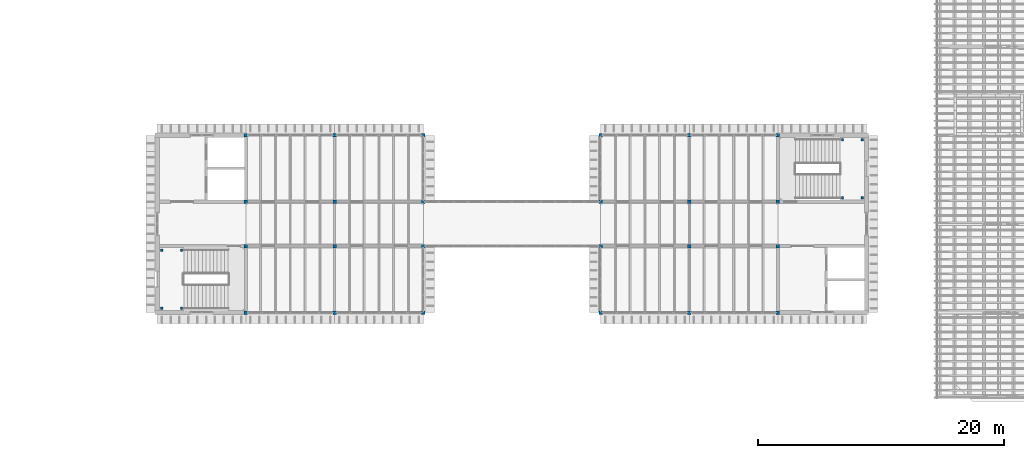
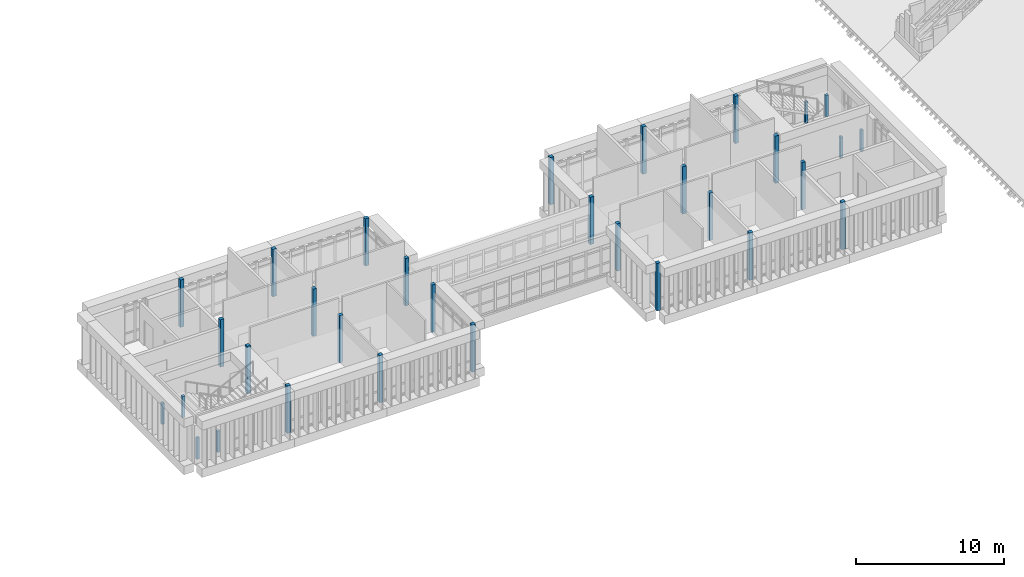
# One storey, part 2 of 51: 32 columns.
"""IFC4 building model written with IfcOpenShell, lengths in metres."""

from ifc_helpers import new_model, si_unit, direction, frame, origin, origin_2d, place, context, subcontext, project, spatial, rectangle, extrude, material, material_profile, profile_set, type_object, element, save


model = new_model("IFC4")

# Units and contexts
model_context = context("Model", 3, precision=1e-05, world=origin(), true_north=direction((0.0, 1.0)))
body_context = subcontext(model_context, "Body", "Model", "MODEL_VIEW")
ifc_project = project(units=[si_unit("LENGTHUNIT", "METRE"), si_unit("AREAUNIT", "SQUARE_METRE"), si_unit("VOLUMEUNIT", "CUBIC_METRE"), si_unit("PLANEANGLEUNIT", "RADIAN"), si_unit("MASSUNIT", "GRAM", prefix="KILO")], contexts=[model_context])

# Site, building, storey
site_placement = place(None, origin())
site = spatial("IfcSite", under=ifc_project, at=site_placement, CompositionType="ELEMENT")
building_placement = place(site_placement, origin())
building = spatial("IfcBuilding", under=site, at=building_placement, Name="Mazhai Court Health Centre", CompositionType="ELEMENT")
storey_placement = place(building_placement, frame((0.0, 0.0, 14.10009765625)))
storey = spatial("IfcBuildingStorey", under=building, at=storey_placement, Name="L03", CompositionType="ELEMENT", Elevation=14.10009765625)

# Columns
ifc_material_1 = material(Name="Glulam GL28h", Category="wood")
ifc_material_profile_1 = material_profile(ifc_material_1, rectangle(XDim=0.280029296875, YDim=0.280029296875, at=origin_2d()), Name="GL28h 280x280")
ifc_profile_set_1 = profile_set([ifc_material_profile_1], Name="Glulam GL28h")
column_type_1 = type_object("IfcColumnType", Name="GL28h 280x280 column", PredefinedType="COLUMN", material=ifc_profile_set_1)
for number, where, z_axis, x_axis, name in (
    (1, (78.199951171875, 13.39990234375, 0.0), (0.0, 0.0, 1.0), (1.0, 0.0, 0.0), "col-V4-L03-01-A"),
    (2, (78.199951171875, 18.800048828125, 0.0), (0.0, 0.0, 1.0), (1.0, 0.0, 0.0), "col-V4-L03-01-B"),
    (3, (78.199951171875, 22.39990234375, 0.0), (0.0, 0.0, 1.0), (1.0, 0.0, 0.0), "col-V4-L03-01-C"),
    (4, (78.199951171875, 27.800048828125, 0.0), (0.0, 0.0, 1.0), (1.0, 0.0, 0.0), "col-V4-L03-01-D"),
    (5, (85.39990234375, 13.39990234375, 0.0), (0.0, 0.0, 1.0), (1.0, 0.0, 0.0), "col-V4-L03-02-A"),
    (6, (85.39990234375, 18.800048828125, 0.0), (0.0, 0.0, 1.0), (1.0, 0.0, 0.0), "col-V4-L03-02-B"),
    (7, (85.39990234375, 22.39990234375, 0.0), (0.0, 0.0, 1.0), (1.0, 0.0, 0.0), "col-V4-L03-02-C"),
    (8, (85.39990234375, 27.800048828125, 0.0), (0.0, 0.0, 1.0), (1.0, 0.0, 0.0), "col-V4-L03-02-D"),
    (9, (92.60009765625, 13.39990234375, 0.0), (0.0, 0.0, 1.0), (1.0, 0.0, 0.0), "col-V4-L03-03-A"),
    (10, (92.60009765625, 18.800048828125, 0.0), (0.0, 0.0, 1.0), (1.0, 0.0, 0.0), "col-V4-L03-03-B"),
    (11, (92.60009765625, 22.39990234375, 0.0), (0.0, 0.0, 1.0), (1.0, 0.0, 0.0), "col-V4-L03-03-C"),
    (12, (92.60009765625, 27.800048828125, 0.0), (0.0, 0.0, 1.0), (1.0, 0.0, 0.0), "col-V4-L03-03-D"),
    (13, (107.0, 13.39990234375, 0.0), (0.0, 0.0, 1.0), (1.0, 0.0, 0.0), "col-V4-L03-05-A"),
    (14, (107.0, 18.800048828125, 0.0), (0.0, 0.0, 1.0), (1.0, 0.0, 0.0), "col-V4-L03-05-B"),
    (15, (107.0, 22.39990234375, 0.0), (0.0, 0.0, 1.0), (1.0, 0.0, 0.0), "col-V4-L03-05-C"),
    (16, (107.0, 27.800048828125, 0.0), (0.0, 0.0, 1.0), (1.0, 0.0, 0.0), "col-V4-L03-05-D"),
    (17, (114.199951171875, 13.39990234375, 0.0), (0.0, 0.0, 1.0), (1.0, 0.0, 0.0), "col-V4-L03-06-A"),
    (18, (114.199951171875, 18.800048828125, 0.0), (0.0, 0.0, 1.0), (1.0, 0.0, 0.0), "col-V4-L03-06-B"),
    (19, (114.199951171875, 22.39990234375, 0.0), (0.0, 0.0, 1.0), (1.0, 0.0, 0.0), "col-V4-L03-06-C"),
    (20, (114.199951171875, 27.800048828125, 0.0), (0.0, 0.0, 1.0), (1.0, 0.0, 0.0), "col-V4-L03-06-D"),
    (21, (121.39990234375, 13.39990234375, 0.0), (0.0, 0.0, 1.0), (1.0, 0.0, 0.0), "col-V4-L03-07-A"),
    (22, (121.39990234375, 18.800048828125, 0.0), (0.0, 0.0, 1.0), (1.0, 0.0, 0.0), "col-V4-L03-07-B"),
    (23, (121.39990234375, 22.39990234375, 0.0), (0.0, 0.0, 1.0), (1.0, 0.0, 0.0), "col-V4-L03-07-C"),
    (24, (121.39990234375, 27.800048828125, 0.0), (0.0, 0.0, 1.0), (1.0, 0.0, 0.0), "col-V4-L03-07-D"),
):
    element("IfcColumn", number, at=place(storey_placement, frame(where, z_axis=z_axis, x_axis=x_axis)), inside=storey, type_object=column_type_1, Name=name, PredefinedType="COLUMN", context=body_context, shape_type="SweptSolid", body=[
        extrude(rectangle(XDim=0.280029296875, YDim=0.280029296875, at=origin_2d()), origin(), (0.0, 0.0, 1.0), 3.89990234375),
    ])
ifc_material_2 = material(Name="Concrete M40", Category="concrete")
ifc_material_profile_2 = material_profile(ifc_material_2, rectangle(XDim=0.199951171875, YDim=0.199951171875, at=origin_2d()), Name="RC 200x200")
ifc_profile_set_2 = profile_set([ifc_material_profile_2], Name="Concrete M40")
column_type_2 = type_object("IfcColumnType", Name="RC STAIR LANDING POST 200 M40", PredefinedType="COLUMN", material=ifc_profile_set_2)
for number, where, z_axis, x_axis, name in (
    (25, (71.3701171875, 13.760009765625, 0.0), (0.0, 0.0, 1.0), (1.0, 0.0, 0.0), "post-ST6-04"),
    (26, (71.3701171875, 18.47998046875, 0.0), (0.0, 0.0, 1.0), (1.0, 0.0, 0.0), "post-ST6-08"),
    (27, (72.969970703125, 13.760009765625, 0.0), (0.0, 0.0, 1.0), (1.0, 0.0, 0.0), "post-ST6-18"),
    (28, (72.969970703125, 18.47998046875, 0.0), (0.0, 0.0, 1.0), (1.0, 0.0, 0.0), "post-ST6-22"),
    (29, (128.239990234375, 22.719970703125, 0.0), (0.0, 0.0, 1.0), (1.0, 0.0, 0.0), "post-ST7-06"),
    (30, (128.239990234375, 27.43994140625, 0.0), (0.0, 0.0, 1.0), (1.0, 0.0, 0.0), "post-ST7-10"),
    (31, (126.639892578125, 22.719970703125, 0.0), (0.0, 0.0, 1.0), (1.0, 0.0, 0.0), "post-ST7-18"),
    (32, (126.639892578125, 27.43994140625, 0.0), (0.0, 0.0, 1.0), (1.0, 0.0, 0.0), "post-ST7-22"),
):
    element("IfcColumn", number, at=place(storey_placement, frame(where, z_axis=z_axis, x_axis=x_axis)), inside=storey, type_object=column_type_2, Name=name, PredefinedType="COLUMN", context=body_context, shape_type="SweptSolid", body=[
        extrude(rectangle(XDim=0.199951171875, YDim=0.199951171875, at=origin_2d()), origin(), (0.0, 0.0, 1.0), 1.75),
    ])

save(model, "model.ifc")
